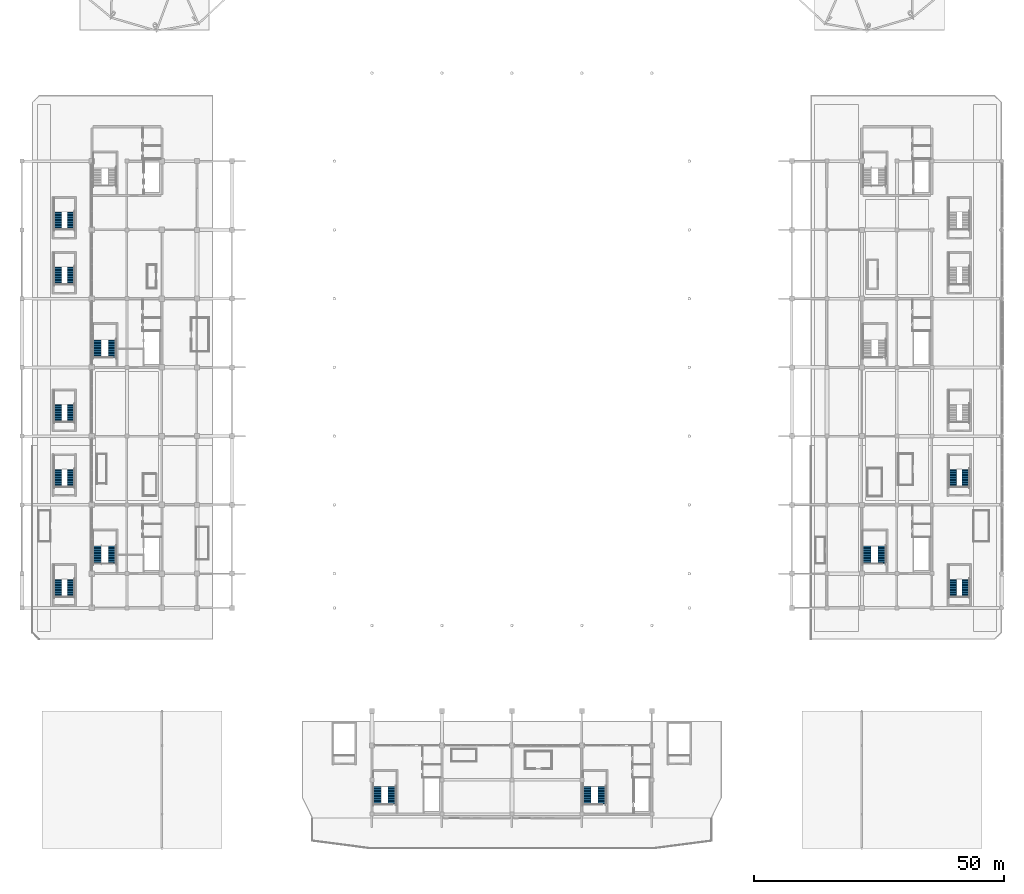
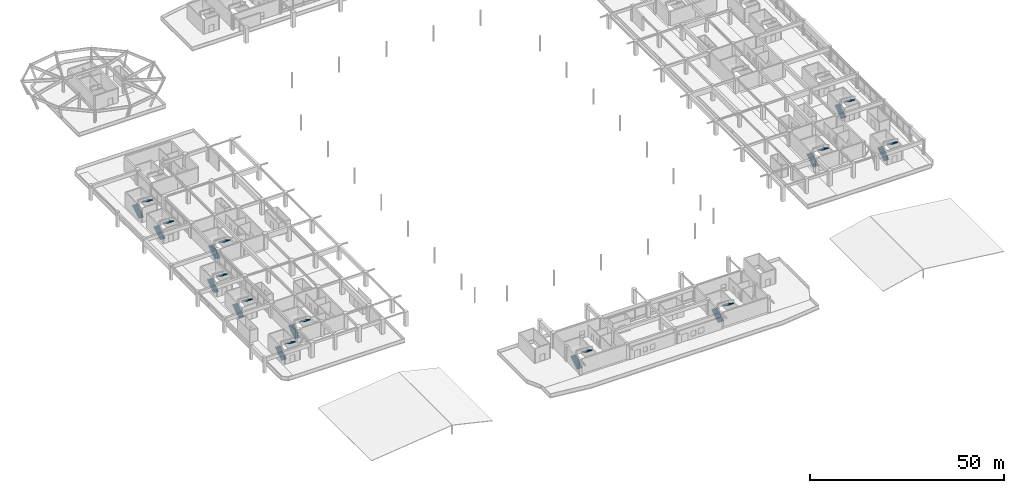
# One storey, part 76 of 91: 24 stair flights, 12 elements without a shape of their own.
"""IFC4 building model written with IfcOpenShell, lengths in metres."""

from ifc_helpers import new_model, si_unit, direction, frame, origin, place, context, subcontext, project, spatial, polyline, outline, extrude, material, type_object, element, aggregate, save


model = new_model("IFC4")

# Units and contexts
model_context = context("Model", 3, precision=1e-05, world=origin(), true_north=direction((0.0, 1.0)))
body_context = subcontext(model_context, "Body", "Model", "MODEL_VIEW")
ifc_project = project(units=[si_unit("LENGTHUNIT", "METRE"), si_unit("AREAUNIT", "SQUARE_METRE"), si_unit("VOLUMEUNIT", "CUBIC_METRE"), si_unit("PLANEANGLEUNIT", "RADIAN"), si_unit("MASSUNIT", "GRAM", prefix="KILO")], contexts=[model_context])

# Site, building, storey
site_placement = place(None, origin())
site = spatial("IfcSite", under=ifc_project, at=site_placement, CompositionType="ELEMENT")
building_placement = place(site_placement, origin())
building = spatial("IfcBuilding", under=site, at=building_placement, Name="Linyun Crest Stadium", CompositionType="ELEMENT")
storey_placement = place(building_placement, frame((0.0, 0.0, 11.39990234375)))
storey = spatial("IfcBuildingStorey", under=building, at=storey_placement, Name="L03", CompositionType="ELEMENT", Elevation=11.39990234375)

# Stair, stair flights
ifc_material_1 = material(Name="Concrete C40", Category="concrete")
stair_type = type_object("IfcStairType", Name="STA03", PredefinedType="HALF_TURN_STAIR", material=ifc_material_1)
stair_1_placement = place(storey_placement, origin())
stair_1 = element("IfcStair", 1, at=stair_1_placement, inside=storey, type_object=stair_type, Name="Evacuation stair STR-01-L03", PredefinedType="HALF_TURN_STAIR")
ifc_material_2 = material(Name="Concrete C40", Category="concrete")
stair_flight_type_1 = type_object("IfcStairFlightType", Name="STF01", PredefinedType="STRAIGHT", material=ifc_material_2)
stair_flight_1_placement = place(storey_placement, frame((-82.9599609375, -37.135009765625, 0.0), z_axis=(0.0, 0.0, 1.0), x_axis=(0.0, 1.0, 0.0)))
stair_flight_1 = element("IfcStairFlight", 2, at=stair_flight_1_placement, type_object=stair_flight_type_1, Name="STR-01-L03 flight 1", NumberOfRisers=15, NumberOfTreads=14, PredefinedType="STRAIGHT", RiserHeight=0.16, TreadLength=0.25, context=body_context, shape_type="SweptSolid", body=[
    extrude(outline(polyline([(0.0, 0.0), (0.0, 0.159912109375), (0.25, 0.159912109375), (0.25, 0.320068359375), (0.5, 0.320068359375), (0.5, 0.47998046875), (0.75, 0.47998046875), (0.75, 0.639892578125), (1.0, 0.639892578125), (1.0, 0.800048828125), (1.25, 0.800048828125), (1.25, 0.9599609375), (1.5, 0.9599609375), (1.5, 1.1201171875), (1.75, 1.1201171875), (1.75, 1.280029296875), (2.0, 1.280029296875), (2.0, 1.43994140625), (2.25, 1.43994140625), (2.25, 1.60009765625), (2.5, 1.60009765625), (2.5, 1.760009765625), (2.75, 1.760009765625), (2.75, 1.919921875), (3.0, 1.919921875), (3.0, 2.080078125), (3.25, 2.080078125), (3.25, 2.239990234375), (3.5, 2.239990234375), (3.5, 2.39990234375), (3.5, 2.0263671875), (0.333740234375, 0.0), (0.0, 0.0)])), frame((0.0, 0.824951171875, 0.0), z_axis=(0.0, -1.0, 0.0), x_axis=(1.0, 0.0, 0.0)), (0.0, 0.0, 1.0), 1.64990234375),
])
stair_flight_2_placement = place(storey_placement, frame((-79.965087890625, -33.635009765625, 2.400146484375), z_axis=(0.0, 0.0, 1.0), x_axis=(0.0, -1.0, 0.0)))
stair_flight_2 = element("IfcStairFlight", 3, at=stair_flight_2_placement, type_object=stair_flight_type_1, Name="STR-01-L03 flight 2", NumberOfRisers=15, NumberOfTreads=14, PredefinedType="STRAIGHT", RiserHeight=0.16, TreadLength=0.25, context=body_context, shape_type="SweptSolid", body=[
    extrude(outline(polyline([(0.0, 0.0), (0.0, 0.159912109375), (0.25, 0.159912109375), (0.25, 0.320068359375), (0.5, 0.320068359375), (0.5, 0.47998046875), (0.75, 0.47998046875), (0.75, 0.639892578125), (1.0, 0.639892578125), (1.0, 0.800048828125), (1.25, 0.800048828125), (1.25, 0.9599609375), (1.5, 0.9599609375), (1.5, 1.1201171875), (1.75, 1.1201171875), (1.75, 1.280029296875), (2.0, 1.280029296875), (2.0, 1.43994140625), (2.25, 1.43994140625), (2.25, 1.60009765625), (2.5, 1.60009765625), (2.5, 1.760009765625), (2.75, 1.760009765625), (2.75, 1.919921875), (3.0, 1.919921875), (3.0, 2.080078125), (3.25, 2.080078125), (3.25, 2.239990234375), (3.5, 2.239990234375), (3.5, 2.39990234375), (3.5, 2.0263671875), (0.333740234375, 0.0), (0.0, 0.0)])), frame((0.0, 0.824951171875, 0.0), z_axis=(0.0, -1.0, 0.0), x_axis=(1.0, 0.0, 0.0)), (0.0, 0.0, 1.0), 1.64990234375),
])
aggregate(stair_1, [stair_flight_1, stair_flight_2])

stair_2_placement = place(storey_placement, origin())
stair_2 = element("IfcStair", 4, at=stair_2_placement, inside=storey, type_object=stair_type, Name="Evacuation stair STR-02-L03", PredefinedType="HALF_TURN_STAIR")
stair_flight_3_placement = place(storey_placement, frame((-82.93505859375, 4.114990234375, 0.0), z_axis=(0.0, 0.0, 1.0), x_axis=(0.0, 1.0, 0.0)))
stair_flight_3 = element("IfcStairFlight", 5, at=stair_flight_3_placement, type_object=stair_flight_type_1, Name="STR-02-L03 flight 1", NumberOfRisers=15, NumberOfTreads=14, PredefinedType="STRAIGHT", RiserHeight=0.16, TreadLength=0.25, context=body_context, shape_type="SweptSolid", body=[
    extrude(outline(polyline([(0.0, 0.0), (0.0, 0.159912109375), (0.25, 0.159912109375), (0.25, 0.320068359375), (0.5, 0.320068359375), (0.5, 0.47998046875), (0.75, 0.47998046875), (0.75, 0.639892578125), (1.0, 0.639892578125), (1.0, 0.800048828125), (1.25, 0.800048828125), (1.25, 0.9599609375), (1.5, 0.9599609375), (1.5, 1.1201171875), (1.75, 1.1201171875), (1.75, 1.280029296875), (2.0, 1.280029296875), (2.0, 1.43994140625), (2.25, 1.43994140625), (2.25, 1.60009765625), (2.5, 1.60009765625), (2.5, 1.760009765625), (2.75, 1.760009765625), (2.75, 1.919921875), (3.0, 1.919921875), (3.0, 2.080078125), (3.25, 2.080078125), (3.25, 2.239990234375), (3.5, 2.239990234375), (3.5, 2.39990234375), (3.5, 2.0263671875), (0.333740234375, 0.0), (0.0, 0.0)])), frame((0.0, 0.824951171875, 0.0), z_axis=(0.0, -1.0, 0.0), x_axis=(1.0, 0.0, 0.0)), (0.0, 0.0, 1.0), 1.64990234375),
])
stair_flight_4_placement = place(storey_placement, frame((-79.965087890625, 7.614990234375, 2.400146484375), z_axis=(0.0, 0.0, 1.0), x_axis=(0.0, -1.0, 0.0)))
stair_flight_4 = element("IfcStairFlight", 6, at=stair_flight_4_placement, type_object=stair_flight_type_1, Name="STR-02-L03 flight 2", NumberOfRisers=15, NumberOfTreads=14, PredefinedType="STRAIGHT", RiserHeight=0.16, TreadLength=0.25, context=body_context, shape_type="SweptSolid", body=[
    extrude(outline(polyline([(0.0, 0.0), (0.0, 0.159912109375), (0.25, 0.159912109375), (0.25, 0.320068359375), (0.5, 0.320068359375), (0.5, 0.47998046875), (0.75, 0.47998046875), (0.75, 0.639892578125), (1.0, 0.639892578125), (1.0, 0.800048828125), (1.25, 0.800048828125), (1.25, 0.9599609375), (1.5, 0.9599609375), (1.5, 1.1201171875), (1.75, 1.1201171875), (1.75, 1.280029296875), (2.0, 1.280029296875), (2.0, 1.43994140625), (2.25, 1.43994140625), (2.25, 1.60009765625), (2.5, 1.60009765625), (2.5, 1.760009765625), (2.75, 1.760009765625), (2.75, 1.919921875), (3.0, 1.919921875), (3.0, 2.080078125), (3.25, 2.080078125), (3.25, 2.239990234375), (3.5, 2.239990234375), (3.5, 2.39990234375), (3.5, 2.0263671875), (0.333740234375, 0.0), (0.0, 0.0)])), frame((0.0, 0.824951171875, 0.0), z_axis=(0.0, -1.0, 0.0), x_axis=(1.0, 0.0, 0.0)), (0.0, 0.0, 1.0), 1.64990234375),
])
aggregate(stair_2, [stair_flight_3, stair_flight_4])

stair_3_placement = place(storey_placement, origin())
stair_3 = element("IfcStair", 7, at=stair_3_placement, inside=storey, type_object=stair_type, Name="Evacuation stair STR-04-L03", PredefinedType="HALF_TURN_STAIR")
stair_flight_5_placement = place(storey_placement, frame((71.0400390625, -37.135009765625, 0.0), z_axis=(0.0, 0.0, 1.0), x_axis=(0.0, 1.0, 0.0)))
stair_flight_5 = element("IfcStairFlight", 8, at=stair_flight_5_placement, type_object=stair_flight_type_1, Name="STR-04-L03 flight 1", NumberOfRisers=15, NumberOfTreads=14, PredefinedType="STRAIGHT", RiserHeight=0.16, TreadLength=0.25, context=body_context, shape_type="SweptSolid", body=[
    extrude(outline(polyline([(0.0, 0.0), (0.0, 0.159912109375), (0.25, 0.159912109375), (0.25, 0.320068359375), (0.5, 0.320068359375), (0.5, 0.47998046875), (0.75, 0.47998046875), (0.75, 0.639892578125), (1.0, 0.639892578125), (1.0, 0.800048828125), (1.25, 0.800048828125), (1.25, 0.9599609375), (1.5, 0.9599609375), (1.5, 1.1201171875), (1.75, 1.1201171875), (1.75, 1.280029296875), (2.0, 1.280029296875), (2.0, 1.43994140625), (2.25, 1.43994140625), (2.25, 1.60009765625), (2.5, 1.60009765625), (2.5, 1.760009765625), (2.75, 1.760009765625), (2.75, 1.919921875), (3.0, 1.919921875), (3.0, 2.080078125), (3.25, 2.080078125), (3.25, 2.239990234375), (3.5, 2.239990234375), (3.5, 2.39990234375), (3.5, 2.0263671875), (0.333740234375, 0.0), (0.0, 0.0)])), frame((0.0, 0.824951171875, 0.0), z_axis=(0.0, -1.0, 0.0), x_axis=(1.0, 0.0, 0.0)), (0.0, 0.0, 1.0), 1.64990234375),
])
stair_flight_6_placement = place(storey_placement, frame((74.034912109375, -33.635009765625, 2.400146484375), z_axis=(0.0, 0.0, 1.0), x_axis=(0.0, -1.0, 0.0)))
stair_flight_6 = element("IfcStairFlight", 9, at=stair_flight_6_placement, type_object=stair_flight_type_1, Name="STR-04-L03 flight 2", NumberOfRisers=15, NumberOfTreads=14, PredefinedType="STRAIGHT", RiserHeight=0.16, TreadLength=0.25, context=body_context, shape_type="SweptSolid", body=[
    extrude(outline(polyline([(0.0, 0.0), (0.0, 0.159912109375), (0.25, 0.159912109375), (0.25, 0.320068359375), (0.5, 0.320068359375), (0.5, 0.47998046875), (0.75, 0.47998046875), (0.75, 0.639892578125), (1.0, 0.639892578125), (1.0, 0.800048828125), (1.25, 0.800048828125), (1.25, 0.9599609375), (1.5, 0.9599609375), (1.5, 1.1201171875), (1.75, 1.1201171875), (1.75, 1.280029296875), (2.0, 1.280029296875), (2.0, 1.43994140625), (2.25, 1.43994140625), (2.25, 1.60009765625), (2.5, 1.60009765625), (2.5, 1.760009765625), (2.75, 1.760009765625), (2.75, 1.919921875), (3.0, 1.919921875), (3.0, 2.080078125), (3.25, 2.080078125), (3.25, 2.239990234375), (3.5, 2.239990234375), (3.5, 2.39990234375), (3.5, 2.0263671875), (0.333740234375, 0.0), (0.0, 0.0)])), frame((0.0, 0.824951171875, 0.0), z_axis=(0.0, -1.0, 0.0), x_axis=(1.0, 0.0, 0.0)), (0.0, 0.0, 1.0), 1.64990234375),
])
aggregate(stair_3, [stair_flight_5, stair_flight_6])

stair_4_placement = place(storey_placement, origin())
stair_4 = element("IfcStair", 10, at=stair_4_placement, inside=storey, type_object=stair_type, Name="Evacuation stair STR-09-L03", PredefinedType="HALF_TURN_STAIR")
stair_flight_7_placement = place(storey_placement, frame((-26.909912109375, -85.260009765625, 0.0), z_axis=(0.0, 0.0, 1.0), x_axis=(0.0, 1.0, 0.0)))
stair_flight_7 = element("IfcStairFlight", 11, at=stair_flight_7_placement, type_object=stair_flight_type_1, Name="STR-09-L03 flight 1", NumberOfRisers=15, NumberOfTreads=14, PredefinedType="STRAIGHT", RiserHeight=0.16, TreadLength=0.25, context=body_context, shape_type="SweptSolid", body=[
    extrude(outline(polyline([(0.0, 0.0), (0.0, 0.159912109375), (0.25, 0.159912109375), (0.25, 0.320068359375), (0.5, 0.320068359375), (0.5, 0.47998046875), (0.75, 0.47998046875), (0.75, 0.639892578125), (1.0, 0.639892578125), (1.0, 0.800048828125), (1.25, 0.800048828125), (1.25, 0.9599609375), (1.5, 0.9599609375), (1.5, 1.1201171875), (1.75, 1.1201171875), (1.75, 1.280029296875), (2.0, 1.280029296875), (2.0, 1.43994140625), (2.25, 1.43994140625), (2.25, 1.60009765625), (2.5, 1.60009765625), (2.5, 1.760009765625), (2.75, 1.760009765625), (2.75, 1.919921875), (3.0, 1.919921875), (3.0, 2.080078125), (3.25, 2.080078125), (3.25, 2.239990234375), (3.5, 2.239990234375), (3.5, 2.39990234375), (3.5, 2.0263671875), (0.333740234375, 0.0), (0.0, 0.0)])), frame((0.0, 0.824951171875, 0.0), z_axis=(0.0, -1.0, 0.0), x_axis=(1.0, 0.0, 0.0)), (0.0, 0.0, 1.0), 1.64990234375),
])
stair_flight_8_placement = place(storey_placement, frame((-23.965087890625, -81.760009765625, 2.400146484375), z_axis=(0.0, 0.0, 1.0), x_axis=(0.0, -1.0, 0.0)))
stair_flight_8 = element("IfcStairFlight", 12, at=stair_flight_8_placement, type_object=stair_flight_type_1, Name="STR-09-L03 flight 2", NumberOfRisers=15, NumberOfTreads=14, PredefinedType="STRAIGHT", RiserHeight=0.16, TreadLength=0.25, context=body_context, shape_type="SweptSolid", body=[
    extrude(outline(polyline([(0.0, 0.0), (0.0, 0.159912109375), (0.25, 0.159912109375), (0.25, 0.320068359375), (0.5, 0.320068359375), (0.5, 0.47998046875), (0.75, 0.47998046875), (0.75, 0.639892578125), (1.0, 0.639892578125), (1.0, 0.800048828125), (1.25, 0.800048828125), (1.25, 0.9599609375), (1.5, 0.9599609375), (1.5, 1.1201171875), (1.75, 1.1201171875), (1.75, 1.280029296875), (2.0, 1.280029296875), (2.0, 1.43994140625), (2.25, 1.43994140625), (2.25, 1.60009765625), (2.5, 1.60009765625), (2.5, 1.760009765625), (2.75, 1.760009765625), (2.75, 1.919921875), (3.0, 1.919921875), (3.0, 2.080078125), (3.25, 2.080078125), (3.25, 2.239990234375), (3.5, 2.239990234375), (3.5, 2.39990234375), (3.5, 2.0263671875), (0.333740234375, 0.0), (0.0, 0.0)])), frame((0.0, 0.824951171875, 0.0), z_axis=(0.0, -1.0, 0.0), x_axis=(1.0, 0.0, 0.0)), (0.0, 0.0, 1.0), 1.64990234375),
])
aggregate(stair_4, [stair_flight_7, stair_flight_8])

stair_5_placement = place(storey_placement, origin())
stair_5 = element("IfcStair", 13, at=stair_5_placement, inside=storey, type_object=stair_type, Name="Evacuation stair STR-10-L03", PredefinedType="HALF_TURN_STAIR")
stair_flight_9_placement = place(storey_placement, frame((15.0400390625, -85.260009765625, 0.0), z_axis=(0.0, 0.0, 1.0), x_axis=(0.0, 1.0, 0.0)))
stair_flight_9 = element("IfcStairFlight", 14, at=stair_flight_9_placement, type_object=stair_flight_type_1, Name="STR-10-L03 flight 1", NumberOfRisers=15, NumberOfTreads=14, PredefinedType="STRAIGHT", RiserHeight=0.16, TreadLength=0.25, context=body_context, shape_type="SweptSolid", body=[
    extrude(outline(polyline([(0.0, 0.0), (0.0, 0.159912109375), (0.25, 0.159912109375), (0.25, 0.320068359375), (0.5, 0.320068359375), (0.5, 0.47998046875), (0.75, 0.47998046875), (0.75, 0.639892578125), (1.0, 0.639892578125), (1.0, 0.800048828125), (1.25, 0.800048828125), (1.25, 0.9599609375), (1.5, 0.9599609375), (1.5, 1.1201171875), (1.75, 1.1201171875), (1.75, 1.280029296875), (2.0, 1.280029296875), (2.0, 1.43994140625), (2.25, 1.43994140625), (2.25, 1.60009765625), (2.5, 1.60009765625), (2.5, 1.760009765625), (2.75, 1.760009765625), (2.75, 1.919921875), (3.0, 1.919921875), (3.0, 2.080078125), (3.25, 2.080078125), (3.25, 2.239990234375), (3.5, 2.239990234375), (3.5, 2.39990234375), (3.5, 2.0263671875), (0.333740234375, 0.0), (0.0, 0.0)])), frame((0.0, 0.824951171875, 0.0), z_axis=(0.0, -1.0, 0.0), x_axis=(1.0, 0.0, 0.0)), (0.0, 0.0, 1.0), 1.64990234375),
])
stair_flight_10_placement = place(storey_placement, frame((18.034912109375, -81.760009765625, 2.400146484375), z_axis=(0.0, 0.0, 1.0), x_axis=(0.0, -1.0, 0.0)))
stair_flight_10 = element("IfcStairFlight", 15, at=stair_flight_10_placement, type_object=stair_flight_type_1, Name="STR-10-L03 flight 2", NumberOfRisers=15, NumberOfTreads=14, PredefinedType="STRAIGHT", RiserHeight=0.16, TreadLength=0.25, context=body_context, shape_type="SweptSolid", body=[
    extrude(outline(polyline([(0.0, 0.0), (0.0, 0.159912109375), (0.25, 0.159912109375), (0.25, 0.320068359375), (0.5, 0.320068359375), (0.5, 0.47998046875), (0.75, 0.47998046875), (0.75, 0.639892578125), (1.0, 0.639892578125), (1.0, 0.800048828125), (1.25, 0.800048828125), (1.25, 0.9599609375), (1.5, 0.9599609375), (1.5, 1.1201171875), (1.75, 1.1201171875), (1.75, 1.280029296875), (2.0, 1.280029296875), (2.0, 1.43994140625), (2.25, 1.43994140625), (2.25, 1.60009765625), (2.5, 1.60009765625), (2.5, 1.760009765625), (2.75, 1.760009765625), (2.75, 1.919921875), (3.0, 1.919921875), (3.0, 2.080078125), (3.25, 2.080078125), (3.25, 2.239990234375), (3.5, 2.239990234375), (3.5, 2.39990234375), (3.5, 2.0263671875), (0.333740234375, 0.0), (0.0, 0.0)])), frame((0.0, 0.824951171875, 0.0), z_axis=(0.0, -1.0, 0.0), x_axis=(1.0, 0.0, 0.0)), (0.0, 0.0, 1.0), 1.64990234375),
])
aggregate(stair_5, [stair_flight_9, stair_flight_10])

stair_6_placement = place(storey_placement, origin())
stair_6 = element("IfcStair", 16, at=stair_6_placement, inside=storey, type_object=stair_type, Name="Vomitory evacuation stair STR-13-L03", PredefinedType="HALF_TURN_STAIR")
ifc_material_3 = material(Name="Concrete C40", Category="concrete")
stair_flight_type_2 = type_object("IfcStairFlightType", Name="STF02", PredefinedType="STRAIGHT", material=ifc_material_3)
stair_flight_11_placement = place(storey_placement, frame((-90.784912109375, -43.780029296875, 0.0), z_axis=(0.0, 0.0, 1.0), x_axis=(0.0, 1.0, 0.0)))
stair_flight_11 = element("IfcStairFlight", 17, at=stair_flight_11_placement, type_object=stair_flight_type_2, Name="STR-13-L03 flight 1", NumberOfRisers=15, NumberOfTreads=14, PredefinedType="STRAIGHT", RiserHeight=0.16, TreadLength=0.25, context=body_context, shape_type="SweptSolid", body=[
    extrude(outline(polyline([(0.0, 0.0), (0.0, 0.159912109375), (0.25, 0.159912109375), (0.25, 0.320068359375), (0.5, 0.320068359375), (0.5, 0.47998046875), (0.75, 0.47998046875), (0.75, 0.639892578125), (1.0, 0.639892578125), (1.0, 0.800048828125), (1.25, 0.800048828125), (1.25, 0.9599609375), (1.5, 0.9599609375), (1.5, 1.1201171875), (1.75, 1.1201171875), (1.75, 1.280029296875), (2.0, 1.280029296875), (2.0, 1.43994140625), (2.25, 1.43994140625), (2.25, 1.60009765625), (2.5, 1.60009765625), (2.5, 1.760009765625), (2.75, 1.760009765625), (2.75, 1.919921875), (3.0, 1.919921875), (3.0, 2.080078125), (3.25, 2.080078125), (3.25, 2.239990234375), (3.5, 2.239990234375), (3.5, 2.39990234375), (3.5, 2.0263671875), (0.333740234375, 0.0), (0.0, 0.0)])), frame((0.0, 0.77490234375, 0.0), z_axis=(0.0, -1.0, 0.0), x_axis=(1.0, 0.0, 0.0)), (0.0, 0.0, 1.0), 1.550048828125),
])
stair_flight_12_placement = place(storey_placement, frame((-88.215087890625, -40.280029296875, 2.400146484375), z_axis=(0.0, 0.0, 1.0), x_axis=(0.0, -1.0, 0.0)))
stair_flight_12 = element("IfcStairFlight", 18, at=stair_flight_12_placement, type_object=stair_flight_type_2, Name="STR-13-L03 flight 2", NumberOfRisers=15, NumberOfTreads=14, PredefinedType="STRAIGHT", RiserHeight=0.16, TreadLength=0.25, context=body_context, shape_type="SweptSolid", body=[
    extrude(outline(polyline([(0.0, 0.0), (0.0, 0.159912109375), (0.25, 0.159912109375), (0.25, 0.320068359375), (0.5, 0.320068359375), (0.5, 0.47998046875), (0.75, 0.47998046875), (0.75, 0.639892578125), (1.0, 0.639892578125), (1.0, 0.800048828125), (1.25, 0.800048828125), (1.25, 0.9599609375), (1.5, 0.9599609375), (1.5, 1.1201171875), (1.75, 1.1201171875), (1.75, 1.280029296875), (2.0, 1.280029296875), (2.0, 1.43994140625), (2.25, 1.43994140625), (2.25, 1.60009765625), (2.5, 1.60009765625), (2.5, 1.760009765625), (2.75, 1.760009765625), (2.75, 1.919921875), (3.0, 1.919921875), (3.0, 2.080078125), (3.25, 2.080078125), (3.25, 2.239990234375), (3.5, 2.239990234375), (3.5, 2.39990234375), (3.5, 2.0263671875), (0.333740234375, 0.0), (0.0, 0.0)])), frame((0.0, 0.77490234375, 0.0), z_axis=(0.0, -1.0, 0.0), x_axis=(1.0, 0.0, 0.0)), (0.0, 0.0, 1.0), 1.550048828125),
])
aggregate(stair_6, [stair_flight_11, stair_flight_12])

stair_7_placement = place(storey_placement, origin())
stair_7 = element("IfcStair", 19, at=stair_7_placement, inside=storey, type_object=stair_type, Name="Vomitory evacuation stair STR-14-L03", PredefinedType="HALF_TURN_STAIR")
stair_flight_13_placement = place(storey_placement, frame((-90.784912109375, -21.780029296875, 0.0), z_axis=(0.0, 0.0, 1.0), x_axis=(0.0, 1.0, 0.0)))
stair_flight_13 = element("IfcStairFlight", 20, at=stair_flight_13_placement, type_object=stair_flight_type_2, Name="STR-14-L03 flight 1", NumberOfRisers=15, NumberOfTreads=14, PredefinedType="STRAIGHT", RiserHeight=0.16, TreadLength=0.25, context=body_context, shape_type="SweptSolid", body=[
    extrude(outline(polyline([(0.0, 0.0), (0.0, 0.159912109375), (0.25, 0.159912109375), (0.25, 0.320068359375), (0.5, 0.320068359375), (0.5, 0.47998046875), (0.75, 0.47998046875), (0.75, 0.639892578125), (1.0, 0.639892578125), (1.0, 0.800048828125), (1.25, 0.800048828125), (1.25, 0.9599609375), (1.5, 0.9599609375), (1.5, 1.1201171875), (1.75, 1.1201171875), (1.75, 1.280029296875), (2.0, 1.280029296875), (2.0, 1.43994140625), (2.25, 1.43994140625), (2.25, 1.60009765625), (2.5, 1.60009765625), (2.5, 1.760009765625), (2.75, 1.760009765625), (2.75, 1.919921875), (3.0, 1.919921875), (3.0, 2.080078125), (3.25, 2.080078125), (3.25, 2.239990234375), (3.5, 2.239990234375), (3.5, 2.39990234375), (3.5, 2.0263671875), (0.333740234375, 0.0), (0.0, 0.0)])), frame((0.0, 0.77490234375, 0.0), z_axis=(0.0, -1.0, 0.0), x_axis=(1.0, 0.0, 0.0)), (0.0, 0.0, 1.0), 1.550048828125),
])
stair_flight_14_placement = place(storey_placement, frame((-88.215087890625, -18.280029296875, 2.400146484375), z_axis=(0.0, 0.0, 1.0), x_axis=(0.0, -1.0, 0.0)))
stair_flight_14 = element("IfcStairFlight", 21, at=stair_flight_14_placement, type_object=stair_flight_type_2, Name="STR-14-L03 flight 2", NumberOfRisers=15, NumberOfTreads=14, PredefinedType="STRAIGHT", RiserHeight=0.16, TreadLength=0.25, context=body_context, shape_type="SweptSolid", body=[
    extrude(outline(polyline([(0.0, 0.0), (0.0, 0.159912109375), (0.25, 0.159912109375), (0.25, 0.320068359375), (0.5, 0.320068359375), (0.5, 0.47998046875), (0.75, 0.47998046875), (0.75, 0.639892578125), (1.0, 0.639892578125), (1.0, 0.800048828125), (1.25, 0.800048828125), (1.25, 0.9599609375), (1.5, 0.9599609375), (1.5, 1.1201171875), (1.75, 1.1201171875), (1.75, 1.280029296875), (2.0, 1.280029296875), (2.0, 1.43994140625), (2.25, 1.43994140625), (2.25, 1.60009765625), (2.5, 1.60009765625), (2.5, 1.760009765625), (2.75, 1.760009765625), (2.75, 1.919921875), (3.0, 1.919921875), (3.0, 2.080078125), (3.25, 2.080078125), (3.25, 2.239990234375), (3.5, 2.239990234375), (3.5, 2.39990234375), (3.5, 2.0263671875), (0.333740234375, 0.0), (0.0, 0.0)])), frame((0.0, 0.77490234375, 0.0), z_axis=(0.0, -1.0, 0.0), x_axis=(1.0, 0.0, 0.0)), (0.0, 0.0, 1.0), 1.550048828125),
])
aggregate(stair_7, [stair_flight_13, stair_flight_14])

stair_8_placement = place(storey_placement, origin())
stair_8 = element("IfcStair", 22, at=stair_8_placement, inside=storey, type_object=stair_type, Name="Vomitory evacuation stair STR-15-L03", PredefinedType="HALF_TURN_STAIR")
stair_flight_15_placement = place(storey_placement, frame((-90.784912109375, -8.780029296875, 0.0), z_axis=(0.0, 0.0, 1.0), x_axis=(0.0, 1.0, 0.0)))
stair_flight_15 = element("IfcStairFlight", 23, at=stair_flight_15_placement, type_object=stair_flight_type_2, Name="STR-15-L03 flight 1", NumberOfRisers=15, NumberOfTreads=14, PredefinedType="STRAIGHT", RiserHeight=0.16, TreadLength=0.25, context=body_context, shape_type="SweptSolid", body=[
    extrude(outline(polyline([(0.0, 0.0), (0.0, 0.159912109375), (0.25, 0.159912109375), (0.25, 0.320068359375), (0.5, 0.320068359375), (0.5, 0.47998046875), (0.75, 0.47998046875), (0.75, 0.639892578125), (1.0, 0.639892578125), (1.0, 0.800048828125), (1.25, 0.800048828125), (1.25, 0.9599609375), (1.5, 0.9599609375), (1.5, 1.1201171875), (1.75, 1.1201171875), (1.75, 1.280029296875), (2.0, 1.280029296875), (2.0, 1.43994140625), (2.25, 1.43994140625), (2.25, 1.60009765625), (2.5, 1.60009765625), (2.5, 1.760009765625), (2.75, 1.760009765625), (2.75, 1.919921875), (3.0, 1.919921875), (3.0, 2.080078125), (3.25, 2.080078125), (3.25, 2.239990234375), (3.5, 2.239990234375), (3.5, 2.39990234375), (3.5, 2.0263671875), (0.333740234375, 0.0), (0.0, 0.0)])), frame((0.0, 0.77490234375, 0.0), z_axis=(0.0, -1.0, 0.0), x_axis=(1.0, 0.0, 0.0)), (0.0, 0.0, 1.0), 1.550048828125),
])
stair_flight_16_placement = place(storey_placement, frame((-88.215087890625, -5.280029296875, 2.400146484375), z_axis=(0.0, 0.0, 1.0), x_axis=(0.0, -1.0, 0.0)))
stair_flight_16 = element("IfcStairFlight", 24, at=stair_flight_16_placement, type_object=stair_flight_type_2, Name="STR-15-L03 flight 2", NumberOfRisers=15, NumberOfTreads=14, PredefinedType="STRAIGHT", RiserHeight=0.16, TreadLength=0.25, context=body_context, shape_type="SweptSolid", body=[
    extrude(outline(polyline([(0.0, 0.0), (0.0, 0.159912109375), (0.25, 0.159912109375), (0.25, 0.320068359375), (0.5, 0.320068359375), (0.5, 0.47998046875), (0.75, 0.47998046875), (0.75, 0.639892578125), (1.0, 0.639892578125), (1.0, 0.800048828125), (1.25, 0.800048828125), (1.25, 0.9599609375), (1.5, 0.9599609375), (1.5, 1.1201171875), (1.75, 1.1201171875), (1.75, 1.280029296875), (2.0, 1.280029296875), (2.0, 1.43994140625), (2.25, 1.43994140625), (2.25, 1.60009765625), (2.5, 1.60009765625), (2.5, 1.760009765625), (2.75, 1.760009765625), (2.75, 1.919921875), (3.0, 1.919921875), (3.0, 2.080078125), (3.25, 2.080078125), (3.25, 2.239990234375), (3.5, 2.239990234375), (3.5, 2.39990234375), (3.5, 2.0263671875), (0.333740234375, 0.0), (0.0, 0.0)])), frame((0.0, 0.77490234375, 0.0), z_axis=(0.0, -1.0, 0.0), x_axis=(1.0, 0.0, 0.0)), (0.0, 0.0, 1.0), 1.550048828125),
])
aggregate(stair_8, [stair_flight_15, stair_flight_16])

stair_9_placement = place(storey_placement, origin())
stair_9 = element("IfcStair", 25, at=stair_9_placement, inside=storey, type_object=stair_type, Name="Vomitory evacuation stair STR-16-L03", PredefinedType="HALF_TURN_STAIR")
stair_flight_17_placement = place(storey_placement, frame((-90.784912109375, 18.719970703125, 0.0), z_axis=(0.0, 0.0, 1.0), x_axis=(0.0, 1.0, 0.0)))
stair_flight_17 = element("IfcStairFlight", 26, at=stair_flight_17_placement, type_object=stair_flight_type_2, Name="STR-16-L03 flight 1", NumberOfRisers=15, NumberOfTreads=14, PredefinedType="STRAIGHT", RiserHeight=0.16, TreadLength=0.25, context=body_context, shape_type="SweptSolid", body=[
    extrude(outline(polyline([(0.0, 0.0), (0.0, 0.159912109375), (0.25, 0.159912109375), (0.25, 0.320068359375), (0.5, 0.320068359375), (0.5, 0.47998046875), (0.75, 0.47998046875), (0.75, 0.639892578125), (1.0, 0.639892578125), (1.0, 0.800048828125), (1.25, 0.800048828125), (1.25, 0.9599609375), (1.5, 0.9599609375), (1.5, 1.1201171875), (1.75, 1.1201171875), (1.75, 1.280029296875), (2.0, 1.280029296875), (2.0, 1.43994140625), (2.25, 1.43994140625), (2.25, 1.60009765625), (2.5, 1.60009765625), (2.5, 1.760009765625), (2.75, 1.760009765625), (2.75, 1.919921875), (3.0, 1.919921875), (3.0, 2.080078125), (3.25, 2.080078125), (3.25, 2.239990234375), (3.5, 2.239990234375), (3.5, 2.39990234375), (3.5, 2.0263671875), (0.333740234375, 0.0), (0.0, 0.0)])), frame((0.0, 0.77490234375, 0.0), z_axis=(0.0, -1.0, 0.0), x_axis=(1.0, 0.0, 0.0)), (0.0, 0.0, 1.0), 1.550048828125),
])
stair_flight_18_placement = place(storey_placement, frame((-88.215087890625, 22.219970703125, 2.400146484375), z_axis=(0.0, 0.0, 1.0), x_axis=(0.0, -1.0, 0.0)))
stair_flight_18 = element("IfcStairFlight", 27, at=stair_flight_18_placement, type_object=stair_flight_type_2, Name="STR-16-L03 flight 2", NumberOfRisers=15, NumberOfTreads=14, PredefinedType="STRAIGHT", RiserHeight=0.16, TreadLength=0.25, context=body_context, shape_type="SweptSolid", body=[
    extrude(outline(polyline([(0.0, 0.0), (0.0, 0.159912109375), (0.25, 0.159912109375), (0.25, 0.320068359375), (0.5, 0.320068359375), (0.5, 0.47998046875), (0.75, 0.47998046875), (0.75, 0.639892578125), (1.0, 0.639892578125), (1.0, 0.800048828125), (1.25, 0.800048828125), (1.25, 0.9599609375), (1.5, 0.9599609375), (1.5, 1.1201171875), (1.75, 1.1201171875), (1.75, 1.280029296875), (2.0, 1.280029296875), (2.0, 1.43994140625), (2.25, 1.43994140625), (2.25, 1.60009765625), (2.5, 1.60009765625), (2.5, 1.760009765625), (2.75, 1.760009765625), (2.75, 1.919921875), (3.0, 1.919921875), (3.0, 2.080078125), (3.25, 2.080078125), (3.25, 2.239990234375), (3.5, 2.239990234375), (3.5, 2.39990234375), (3.5, 2.0263671875), (0.333740234375, 0.0), (0.0, 0.0)])), frame((0.0, 0.77490234375, 0.0), z_axis=(0.0, -1.0, 0.0), x_axis=(1.0, 0.0, 0.0)), (0.0, 0.0, 1.0), 1.550048828125),
])
aggregate(stair_9, [stair_flight_17, stair_flight_18])

stair_10_placement = place(storey_placement, origin())
stair_10 = element("IfcStair", 28, at=stair_10_placement, inside=storey, type_object=stair_type, Name="Vomitory evacuation stair STR-17-L03", PredefinedType="HALF_TURN_STAIR")
stair_flight_19_placement = place(storey_placement, frame((-90.784912109375, 29.719970703125, 0.0), z_axis=(0.0, 0.0, 1.0), x_axis=(0.0, 1.0, 0.0)))
stair_flight_19 = element("IfcStairFlight", 29, at=stair_flight_19_placement, type_object=stair_flight_type_2, Name="STR-17-L03 flight 1", NumberOfRisers=15, NumberOfTreads=14, PredefinedType="STRAIGHT", RiserHeight=0.16, TreadLength=0.25, context=body_context, shape_type="SweptSolid", body=[
    extrude(outline(polyline([(0.0, 0.0), (0.0, 0.159912109375), (0.25, 0.159912109375), (0.25, 0.320068359375), (0.5, 0.320068359375), (0.5, 0.47998046875), (0.75, 0.47998046875), (0.75, 0.639892578125), (1.0, 0.639892578125), (1.0, 0.800048828125), (1.25, 0.800048828125), (1.25, 0.9599609375), (1.5, 0.9599609375), (1.5, 1.1201171875), (1.75, 1.1201171875), (1.75, 1.280029296875), (2.0, 1.280029296875), (2.0, 1.43994140625), (2.25, 1.43994140625), (2.25, 1.60009765625), (2.5, 1.60009765625), (2.5, 1.760009765625), (2.75, 1.760009765625), (2.75, 1.919921875), (3.0, 1.919921875), (3.0, 2.080078125), (3.25, 2.080078125), (3.25, 2.239990234375), (3.5, 2.239990234375), (3.5, 2.39990234375), (3.5, 2.0263671875), (0.333740234375, 0.0), (0.0, 0.0)])), frame((0.0, 0.77490234375, 0.0), z_axis=(0.0, -1.0, 0.0), x_axis=(1.0, 0.0, 0.0)), (0.0, 0.0, 1.0), 1.550048828125),
])
stair_flight_20_placement = place(storey_placement, frame((-88.215087890625, 33.219970703125, 2.400146484375), z_axis=(0.0, 0.0, 1.0), x_axis=(0.0, -1.0, 0.0)))
stair_flight_20 = element("IfcStairFlight", 30, at=stair_flight_20_placement, type_object=stair_flight_type_2, Name="STR-17-L03 flight 2", NumberOfRisers=15, NumberOfTreads=14, PredefinedType="STRAIGHT", RiserHeight=0.16, TreadLength=0.25, context=body_context, shape_type="SweptSolid", body=[
    extrude(outline(polyline([(0.0, 0.0), (0.0, 0.159912109375), (0.25, 0.159912109375), (0.25, 0.320068359375), (0.5, 0.320068359375), (0.5, 0.47998046875), (0.75, 0.47998046875), (0.75, 0.639892578125), (1.0, 0.639892578125), (1.0, 0.800048828125), (1.25, 0.800048828125), (1.25, 0.9599609375), (1.5, 0.9599609375), (1.5, 1.1201171875), (1.75, 1.1201171875), (1.75, 1.280029296875), (2.0, 1.280029296875), (2.0, 1.43994140625), (2.25, 1.43994140625), (2.25, 1.60009765625), (2.5, 1.60009765625), (2.5, 1.760009765625), (2.75, 1.760009765625), (2.75, 1.919921875), (3.0, 1.919921875), (3.0, 2.080078125), (3.25, 2.080078125), (3.25, 2.239990234375), (3.5, 2.239990234375), (3.5, 2.39990234375), (3.5, 2.0263671875), (0.333740234375, 0.0), (0.0, 0.0)])), frame((0.0, 0.77490234375, 0.0), z_axis=(0.0, -1.0, 0.0), x_axis=(1.0, 0.0, 0.0)), (0.0, 0.0, 1.0), 1.550048828125),
])
aggregate(stair_10, [stair_flight_19, stair_flight_20])

stair_11_placement = place(storey_placement, origin())
stair_11 = element("IfcStair", 31, at=stair_11_placement, inside=storey, type_object=stair_type, Name="Vomitory evacuation stair STR-18-L03", PredefinedType="HALF_TURN_STAIR")
stair_flight_21_placement = place(storey_placement, frame((88.215087890625, -43.780029296875, 0.0), z_axis=(0.0, 0.0, 1.0), x_axis=(0.0, 1.0, 0.0)))
stair_flight_21 = element("IfcStairFlight", 32, at=stair_flight_21_placement, type_object=stair_flight_type_2, Name="STR-18-L03 flight 1", NumberOfRisers=15, NumberOfTreads=14, PredefinedType="STRAIGHT", RiserHeight=0.16, TreadLength=0.25, context=body_context, shape_type="SweptSolid", body=[
    extrude(outline(polyline([(0.0, 0.0), (0.0, 0.159912109375), (0.25, 0.159912109375), (0.25, 0.320068359375), (0.5, 0.320068359375), (0.5, 0.47998046875), (0.75, 0.47998046875), (0.75, 0.639892578125), (1.0, 0.639892578125), (1.0, 0.800048828125), (1.25, 0.800048828125), (1.25, 0.9599609375), (1.5, 0.9599609375), (1.5, 1.1201171875), (1.75, 1.1201171875), (1.75, 1.280029296875), (2.0, 1.280029296875), (2.0, 1.43994140625), (2.25, 1.43994140625), (2.25, 1.60009765625), (2.5, 1.60009765625), (2.5, 1.760009765625), (2.75, 1.760009765625), (2.75, 1.919921875), (3.0, 1.919921875), (3.0, 2.080078125), (3.25, 2.080078125), (3.25, 2.239990234375), (3.5, 2.239990234375), (3.5, 2.39990234375), (3.5, 2.0263671875), (0.333740234375, 0.0), (0.0, 0.0)])), frame((0.0, 0.77490234375, 0.0), z_axis=(0.0, -1.0, 0.0), x_axis=(1.0, 0.0, 0.0)), (0.0, 0.0, 1.0), 1.550048828125),
])
stair_flight_22_placement = place(storey_placement, frame((90.784912109375, -40.280029296875, 2.400146484375), z_axis=(0.0, 0.0, 1.0), x_axis=(0.0, -1.0, 0.0)))
stair_flight_22 = element("IfcStairFlight", 33, at=stair_flight_22_placement, type_object=stair_flight_type_2, Name="STR-18-L03 flight 2", NumberOfRisers=15, NumberOfTreads=14, PredefinedType="STRAIGHT", RiserHeight=0.16, TreadLength=0.25, context=body_context, shape_type="SweptSolid", body=[
    extrude(outline(polyline([(0.0, 0.0), (0.0, 0.159912109375), (0.25, 0.159912109375), (0.25, 0.320068359375), (0.5, 0.320068359375), (0.5, 0.47998046875), (0.75, 0.47998046875), (0.75, 0.639892578125), (1.0, 0.639892578125), (1.0, 0.800048828125), (1.25, 0.800048828125), (1.25, 0.9599609375), (1.5, 0.9599609375), (1.5, 1.1201171875), (1.75, 1.1201171875), (1.75, 1.280029296875), (2.0, 1.280029296875), (2.0, 1.43994140625), (2.25, 1.43994140625), (2.25, 1.60009765625), (2.5, 1.60009765625), (2.5, 1.760009765625), (2.75, 1.760009765625), (2.75, 1.919921875), (3.0, 1.919921875), (3.0, 2.080078125), (3.25, 2.080078125), (3.25, 2.239990234375), (3.5, 2.239990234375), (3.5, 2.39990234375), (3.5, 2.0263671875), (0.333740234375, 0.0), (0.0, 0.0)])), frame((0.0, 0.77490234375, 0.0), z_axis=(0.0, -1.0, 0.0), x_axis=(1.0, 0.0, 0.0)), (0.0, 0.0, 1.0), 1.550048828125),
])
aggregate(stair_11, [stair_flight_21, stair_flight_22])

stair_12_placement = place(storey_placement, origin())
stair_12 = element("IfcStair", 34, at=stair_12_placement, inside=storey, type_object=stair_type, Name="Vomitory evacuation stair STR-19-L03", PredefinedType="HALF_TURN_STAIR")
stair_flight_23_placement = place(storey_placement, frame((88.215087890625, -21.780029296875, 0.0), z_axis=(0.0, 0.0, 1.0), x_axis=(0.0, 1.0, 0.0)))
stair_flight_23 = element("IfcStairFlight", 35, at=stair_flight_23_placement, type_object=stair_flight_type_2, Name="STR-19-L03 flight 1", NumberOfRisers=15, NumberOfTreads=14, PredefinedType="STRAIGHT", RiserHeight=0.16, TreadLength=0.25, context=body_context, shape_type="SweptSolid", body=[
    extrude(outline(polyline([(0.0, 0.0), (0.0, 0.159912109375), (0.25, 0.159912109375), (0.25, 0.320068359375), (0.5, 0.320068359375), (0.5, 0.47998046875), (0.75, 0.47998046875), (0.75, 0.639892578125), (1.0, 0.639892578125), (1.0, 0.800048828125), (1.25, 0.800048828125), (1.25, 0.9599609375), (1.5, 0.9599609375), (1.5, 1.1201171875), (1.75, 1.1201171875), (1.75, 1.280029296875), (2.0, 1.280029296875), (2.0, 1.43994140625), (2.25, 1.43994140625), (2.25, 1.60009765625), (2.5, 1.60009765625), (2.5, 1.760009765625), (2.75, 1.760009765625), (2.75, 1.919921875), (3.0, 1.919921875), (3.0, 2.080078125), (3.25, 2.080078125), (3.25, 2.239990234375), (3.5, 2.239990234375), (3.5, 2.39990234375), (3.5, 2.0263671875), (0.333740234375, 0.0), (0.0, 0.0)])), frame((0.0, 0.77490234375, 0.0), z_axis=(0.0, -1.0, 0.0), x_axis=(1.0, 0.0, 0.0)), (0.0, 0.0, 1.0), 1.550048828125),
])
stair_flight_24_placement = place(storey_placement, frame((90.784912109375, -18.280029296875, 2.400146484375), z_axis=(0.0, 0.0, 1.0), x_axis=(0.0, -1.0, 0.0)))
stair_flight_24 = element("IfcStairFlight", 36, at=stair_flight_24_placement, type_object=stair_flight_type_2, Name="STR-19-L03 flight 2", NumberOfRisers=15, NumberOfTreads=14, PredefinedType="STRAIGHT", RiserHeight=0.16, TreadLength=0.25, context=body_context, shape_type="SweptSolid", body=[
    extrude(outline(polyline([(0.0, 0.0), (0.0, 0.159912109375), (0.25, 0.159912109375), (0.25, 0.320068359375), (0.5, 0.320068359375), (0.5, 0.47998046875), (0.75, 0.47998046875), (0.75, 0.639892578125), (1.0, 0.639892578125), (1.0, 0.800048828125), (1.25, 0.800048828125), (1.25, 0.9599609375), (1.5, 0.9599609375), (1.5, 1.1201171875), (1.75, 1.1201171875), (1.75, 1.280029296875), (2.0, 1.280029296875), (2.0, 1.43994140625), (2.25, 1.43994140625), (2.25, 1.60009765625), (2.5, 1.60009765625), (2.5, 1.760009765625), (2.75, 1.760009765625), (2.75, 1.919921875), (3.0, 1.919921875), (3.0, 2.080078125), (3.25, 2.080078125), (3.25, 2.239990234375), (3.5, 2.239990234375), (3.5, 2.39990234375), (3.5, 2.0263671875), (0.333740234375, 0.0), (0.0, 0.0)])), frame((0.0, 0.77490234375, 0.0), z_axis=(0.0, -1.0, 0.0), x_axis=(1.0, 0.0, 0.0)), (0.0, 0.0, 1.0), 1.550048828125),
])
aggregate(stair_12, [stair_flight_23, stair_flight_24])

save(model, "model.ifc")
